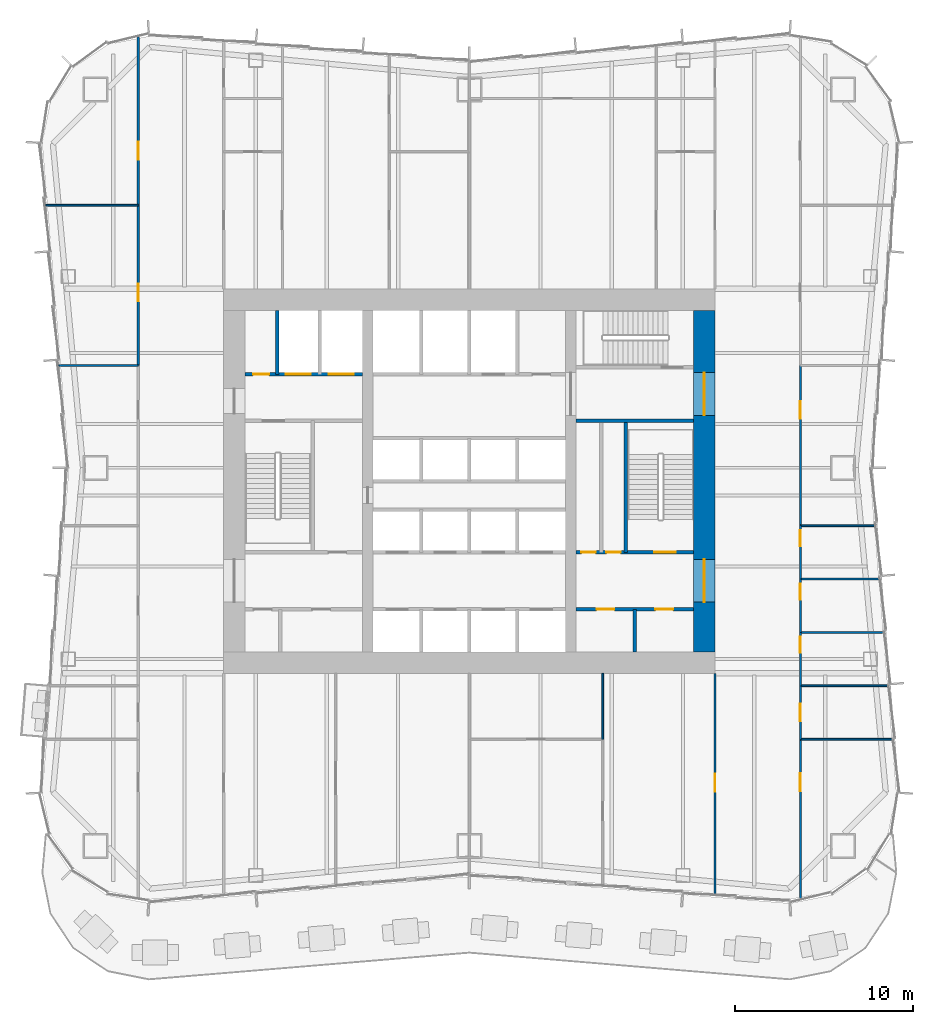
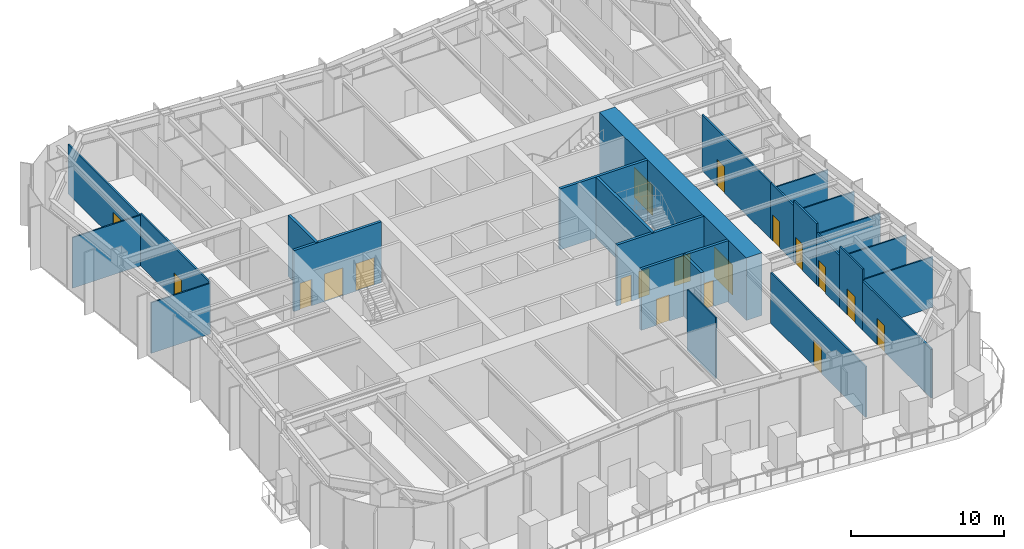
# One storey, part 10 of 15: 25 walls, 19 doors, 19 openings.
"""IFC4 building model written with IfcOpenShell, lengths in metres."""

import ifcopenshell
import ifcopenshell.guid

model = None  # the IFC model being written
_history = None  # IfcOwnerHistory: only IFC2X3 demands one
_inside = {}  # id of a spatial element -> (the spatial element, [elements in it])
_under = {}  # id of a project, library or spatial element -> (it, [spatial elements below it])
_declared = {}  # id of a project -> (the project, [libraries it declares])
_typed = {}  # id of a type object -> (the type object, [elements of that type])
_made_of = {}  # id of a material, layer set ... -> (it, [elements and type objects made of it])


def new_model(schema):
    """Start an empty IFC model of exactly this schema.

    Asked for "IFC4X3", IfcOpenShell would pick the latest addendum, in which some entities
    have other attributes; the version numbers below select the first issue.
    IFC2X3 requires an IfcOwnerHistory on every rooted entity: one is made here for all.
    """
    global model, _history
    if schema == "IFC4X3":
        model = ifcopenshell.file(schema_version=(4, 3, 0, 0))
    else:
        model = ifcopenshell.file(schema=schema)
    _inside.clear()
    _under.clear()
    _declared.clear()
    _typed.clear()
    _made_of.clear()
    _history = None
    if model.schema == "IFC2X3":
        org = make("IfcOrganization", Name="unknown")
        user = make(
            "IfcPersonAndOrganization",
            ThePerson=make("IfcPerson", FamilyName="unknown"),
            TheOrganization=org,
        )
        app = make(
            "IfcApplication",
            ApplicationDeveloper=org,
            Version="unknown",
            ApplicationFullName="unknown",
            ApplicationIdentifier="unknown",
        )
        _history = make(
            "IfcOwnerHistory",
            OwningUser=user,
            OwningApplication=app,
            ChangeAction="ADDED",
            CreationDate=0,
        )
    return model


def make(cls, **values):
    """One entity of the class cls with the attributes given. An attribute that is None is left unset."""
    return model.create_entity(
        cls, **{name: value for name, value in values.items() if value is not None}
    )


def rooted(cls, **values):
    """An entity with a GlobalId (a new one), such as an element, a storey or a relation."""
    return make(cls, GlobalId=ifcopenshell.guid.new(), OwnerHistory=_history, **values)


def si_unit(unit_type, name, prefix=None):
    """IfcSIUnit, for example si_unit("LENGTHUNIT", "METRE", prefix="MILLI")."""
    return make("IfcSIUnit", UnitType=unit_type, Prefix=prefix, Name=name)


def assignment(units):
    """IfcUnitAssignment: the units of a project."""
    return None if units is None else make("IfcUnitAssignment", Units=units)


def point(xyz):
    """IfcCartesianPoint."""
    return None if xyz is None else make("IfcCartesianPoint", Coordinates=xyz)


def direction(xyz):
    """IfcDirection."""
    return None if xyz is None else make("IfcDirection", DirectionRatios=xyz)


def frame(location, z_axis=None, x_axis=None):
    """IfcAxis2Placement3D, a coordinate frame: its origin and axes. An axis left out is left unset."""
    return make(
        "IfcAxis2Placement3D",
        Location=point(location),
        Axis=direction(z_axis),
        RefDirection=direction(x_axis),
    )


def frame_2d(location, x_axis=None):
    """IfcAxis2Placement2D, a coordinate frame in the plane: its origin and x axis."""
    return make(
        "IfcAxis2Placement2D", Location=point(location), RefDirection=direction(x_axis)
    )


def origin():
    """The frame at (0, 0, 0) with its axes left unset."""
    return frame((0.0, 0.0, 0.0))


def place(relative_to, where):
    """IfcLocalPlacement: puts the frame where relative to a parent placement (None: the world)."""
    return make(
        "IfcLocalPlacement", PlacementRelTo=relative_to, RelativePlacement=where
    )


def context(
    kind, dimensions, precision=None, world=None, true_north=None, identifier=None
):
    """IfcGeometricRepresentationContext, for example the 3D "Model" context."""
    return make(
        "IfcGeometricRepresentationContext",
        ContextIdentifier=identifier,
        ContextType=kind,
        CoordinateSpaceDimension=dimensions,
        Precision=precision,
        WorldCoordinateSystem=world,
        TrueNorth=true_north,
    )


def subcontext(parent, identifier, kind, view, scale=None):
    """IfcGeometricRepresentationSubContext, for example "Body" below "Model"."""
    return make(
        "IfcGeometricRepresentationSubContext",
        ContextIdentifier=identifier,
        ContextType=kind,
        ParentContext=parent,
        TargetScale=scale,
        TargetView=view,
    )


def project(units=None, contexts=None):
    """IfcProject with its units and contexts."""
    return rooted(
        "IfcProject",
        Name="project",
        RepresentationContexts=contexts,
        UnitsInContext=assignment(units),
    )


def spatial(cls, under=None, at=None, **own):
    """A site, building, storey or space (cls), placed at a placement, below another one or the project."""
    s = rooted(cls, ObjectPlacement=at, **own)
    if under is not None:
        _under.setdefault(under.id(), (under, []))[1].append(s)
    return s


def profile(cls, at=None, kind="AREA", **sizes):
    """A parametric profile (cls). Its sizes go by their IFC names, for example OverallWidth=200.0."""
    return make(cls, ProfileType=kind, Position=at, **sizes)


def rectangle(**sizes):
    """IfcRectangleProfileDef."""
    return profile("IfcRectangleProfileDef", **sizes)


def extrude(swept, where, along, depth):
    """IfcExtrudedAreaSolid: the profile swept, set in the frame where, extruded along a direction by depth."""
    return make(
        "IfcExtrudedAreaSolid",
        SweptArea=swept,
        Position=where,
        ExtrudedDirection=direction(along),
        Depth=depth,
    )


def shape(context_of_items, identifier, shape_type, items):
    """IfcShapeRepresentation: the items that make up one representation, for example the "Body"."""
    return make(
        "IfcShapeRepresentation",
        ContextOfItems=context_of_items,
        RepresentationIdentifier=identifier,
        RepresentationType=shape_type,
        Items=items,
    )


def material(Name=None, Category=None):
    """IfcMaterial."""
    return make("IfcMaterial", Name=Name, Category=Category)


def layer(
    of_material, thickness, ventilated=None, Name=None, Category=None, Priority=None
):
    """IfcMaterialLayer: one layer of a wall or slab, of a material (None: an air gap)."""
    return make(
        "IfcMaterialLayer",
        Material=of_material,
        LayerThickness=thickness,
        IsVentilated=ventilated,
        Name=Name,
        Category=Category,
        Priority=Priority,
    )


def layer_set(layers, Name=None):
    """IfcMaterialLayerSet."""
    return make("IfcMaterialLayerSet", MaterialLayers=layers, LayerSetName=Name)


def made_of(thing, what):
    """Note that an element or type object is made of a material, layer set ...; save() writes the relation."""
    if what is not None:
        _made_of.setdefault(what.id(), (what, []))[1].append(thing)
    return thing


def type_object(cls, material=None, **own):
    """A type object (cls), such as IfcWallType, which elements share."""
    return made_of(rooted(cls, **own), material)


def element(
    cls,
    number,
    at=None,
    inside=None,
    cuts=None,
    type_object=None,
    material=None,
    context=None,
    identifier="Body",
    shape_type=None,
    held_by="IfcProductDefinitionShape",
    body=None,
    shapes=None,
    **own,
):
    """One element of the class cls, such as IfcWall. Its Tag is "e" and its number.

    at: its placement. inside: the storey or other place that contains it. cuts: it is an
    opening in that element (IfcRelVoidsElement). A single representation is given by context,
    identifier, shape_type and body (its items); several are given by shapes. held_by: the class
    of the entity that holds the representations. save() writes the other relations.
    """
    e = rooted(cls, Tag="e%d" % number, ObjectPlacement=at, **own)
    if body is not None:
        shapes = [shape(context, identifier, shape_type, body)]
    if shapes is not None:
        e.Representation = make(held_by, Representations=shapes)
    if inside is not None:
        _inside.setdefault(inside.id(), (inside, []))[1].append(e)
    if cuts is not None:
        rooted(
            "IfcRelVoidsElement", RelatingBuildingElement=cuts, RelatedOpeningElement=e
        )
    if type_object is not None:
        _typed.setdefault(type_object.id(), (type_object, []))[1].append(e)
    return made_of(e, material)


def fill(opening, filler):
    """IfcRelFillsElement: the door or window that sits in an opening."""
    return rooted(
        "IfcRelFillsElement",
        RelatingOpeningElement=opening,
        RelatedBuildingElement=filler,
    )


def aggregate(whole, parts):
    """IfcRelAggregates: a whole, such as a stair, and the parts it consists of."""
    return rooted("IfcRelAggregates", RelatingObject=whole, RelatedObjects=parts)


def save(model, path):
    """Write the relations noted so far, then the file.

    IfcRelAggregates (storeys below a building ...), IfcRelContainedInSpatialStructure (elements
    in a storey), IfcRelDefinesByType, IfcRelAssociatesMaterial and IfcRelDeclares: one each for
    every whole, place, type object, material and project.
    """
    for whole, parts in _under.values():
        aggregate(whole, parts)
    for where, things in _inside.values():
        rooted(
            "IfcRelContainedInSpatialStructure",
            RelatedElements=things,
            RelatingStructure=where,
        )
    for kind, things in _typed.values():
        rooted("IfcRelDefinesByType", RelatedObjects=things, RelatingType=kind)
    for what, things in _made_of.values():
        rooted("IfcRelAssociatesMaterial", RelatedObjects=things, RelatingMaterial=what)
    for by, libraries in _declared.values():
        rooted("IfcRelDeclares", RelatingContext=by, RelatedDefinitions=libraries)
    model.write(path)


model = new_model("IFC4")

# Units and contexts
model_context = context("Model", 3, precision=1e-05, world=origin(), true_north=direction((0.0, 1.0)))
body_context = subcontext(model_context, "Body", "Model", "MODEL_VIEW")
ifc_project = project(units=[si_unit("LENGTHUNIT", "METRE"), si_unit("AREAUNIT", "SQUARE_METRE"), si_unit("VOLUMEUNIT", "CUBIC_METRE"), si_unit("PLANEANGLEUNIT", "RADIAN"), si_unit("MASSUNIT", "GRAM", prefix="KILO")], contexts=[model_context])

# Site, building, storey
site_placement = place(None, origin())
site = spatial("IfcSite", under=ifc_project, at=site_placement, CompositionType="ELEMENT")
building_placement = place(site_placement, origin())
building = spatial("IfcBuilding", under=site, at=building_placement, Name="Verdant Reach Tower", CompositionType="ELEMENT")
storey_placement = place(building_placement, frame((0.0, 0.0, 65.0)))
storey = spatial("IfcBuildingStorey", under=building, at=storey_placement, Name="L14", CompositionType="ELEMENT", Elevation=65.0)

# Wall, openings, doors
ifc_material_1 = material(Name="Gypsum board on steel studs", Category="steel")
ifc_layer_1 = layer(ifc_material_1, 0.199951171875)
ifc_layer_set_1 = layer_set([ifc_layer_1], Name="CO-WALL-ROOM")
wall_type_1 = type_object("IfcWallType", Name="CO-WALL-ROOM", PredefinedType="PARTITIONING", material=ifc_layer_set_1)
wall_1_placement = place(storey_placement, frame((6.0, 20.800048828125, 0.0), z_axis=(0.0, 0.0, 1.0), x_axis=(1.0, 0.0, 0.0)))
wall_1 = element("IfcWall", 1, at=wall_1_placement, inside=storey, type_object=wall_type_1, Name="Core partition, L14", PredefinedType="PARTITIONING", context=body_context, shape_type="SweptSolid", body=[
    extrude(rectangle(XDim=6.60009765625, YDim=0.199951171875, at=frame_2d((3.300048828125, 0.0))), origin(), (0.0, 0.0, 1.0), 4.8701171875),
])
opening_1_placement = place(wall_1_placement, frame((1.14990234375, 0.0, 0.0)))
opening_1 = element("IfcOpeningElement", 2, at=opening_1_placement, cuts=wall_1, Name="Opening CD", PredefinedType="OPENING", context=body_context, shape_type="SweptSolid", body=[
    extrude(rectangle(XDim=1.0, YDim=2.10009765625, at=frame_2d((0.5, 1.050048828125))), frame((0.0, 0.10986328125, 0.0), z_axis=(0.0, -1.0, 0.0), x_axis=(1.0, 0.0, 0.0)), (0.0, 0.0, 1.0), 0.219970703125),
])
opening_2_placement = place(wall_1_placement, frame((4.449951171875, 0.0, 0.0)))
opening_2 = element("IfcOpeningElement", 3, at=opening_2_placement, cuts=wall_1, Name="Opening CD", PredefinedType="OPENING", context=body_context, shape_type="SweptSolid", body=[
    extrude(rectangle(XDim=1.0, YDim=2.10009765625, at=frame_2d((0.5, 1.050048828125))), frame((0.0, 0.10986328125, 0.0), z_axis=(0.0, -1.0, 0.0), x_axis=(1.0, 0.0, 0.0)), (0.0, 0.0, 1.0), 0.219970703125),
])
ifc_material_2 = material(Name="Timber", Category="wood")
door_type_1 = type_object("IfcDoorType", Name="CO-DOOR-ROOM", OperationType="NOTDEFINED", PredefinedType="DOOR", material=ifc_material_2)
door_1_placement = place(opening_1_placement, origin())
door_1 = element("IfcDoor", 4, at=door_1_placement, inside=storey, type_object=door_type_1, Name="Core room door, L14", OperationType="SINGLE_SWING_LEFT", OverallHeight=2.10009765625, OverallWidth=1.0, PredefinedType="DOOR", context=body_context, shape_type="SweptSolid", body=[
    extrude(rectangle(XDim=1.0, YDim=2.10009765625, at=frame_2d((0.5, 1.050048828125))), frame((0.0, 0.02490234375, 0.0), z_axis=(0.0, -1.0, 0.0), x_axis=(1.0, 0.0, 0.0)), (0.0, 0.0, 1.0), 0.050048828125),
])
fill(opening_1, door_1)
door_2_placement = place(opening_2_placement, origin())
door_2 = element("IfcDoor", 5, at=door_2_placement, inside=storey, type_object=door_type_1, Name="Core room door, L14", OperationType="SINGLE_SWING_LEFT", OverallHeight=2.10009765625, OverallWidth=1.0, PredefinedType="DOOR", context=body_context, shape_type="SweptSolid", body=[
    extrude(rectangle(XDim=1.0, YDim=2.10009765625, at=frame_2d((0.5, 1.050048828125))), frame((0.0, 0.02490234375, 0.0), z_axis=(0.0, -1.0, 0.0), x_axis=(1.0, 0.0, 0.0)), (0.0, 0.0, 1.0), 0.050048828125),
])
fill(opening_2, door_2)

# Wall
wall_2_placement = place(storey_placement, frame((9.300048828125, 18.39990234375, 0.0), z_axis=(0.0, 0.0, 1.0), x_axis=(0.0, 1.0, 0.0)))
element("IfcWall", 6, at=wall_2_placement, inside=storey, type_object=wall_type_1, Name="Core partition, L14", PredefinedType="PARTITIONING", context=body_context, shape_type="SweptSolid", body=[
    extrude(rectangle(XDim=2.400146484375, YDim=0.199951171875, at=frame_2d((1.2001953125, 0.0))), origin(), (0.0, 0.0, 1.0), 4.8701171875),
])

# Wall, openings, doors
ifc_material_3 = material(Name="Concrete C40/50", Category="concrete")
ifc_layer_2 = layer(ifc_material_3, 0.199951171875)
ifc_layer_set_2 = layer_set([ifc_layer_2], Name="CO-WALL-SHAFT")
wall_type_2 = type_object("IfcWallType", Name="CO-WALL-SHAFT", PredefinedType="PARTITIONING", material=ifc_layer_set_2)
wall_3_placement = place(storey_placement, frame((-12.60009765625, 34.0, 0.0), z_axis=(0.0, 0.0, 1.0), x_axis=(1.0, 0.0, 0.0)))
wall_3 = element("IfcWall", 7, at=wall_3_placement, inside=storey, type_object=wall_type_2, Name="Lift shaft wall, L14", PredefinedType="PARTITIONING", context=body_context, shape_type="SweptSolid", body=[
    extrude(rectangle(XDim=6.60009765625, YDim=0.199951171875, at=frame_2d((3.300048828125, 0.0))), origin(), (0.0, 0.0, 1.0), 4.8701171875),
])
opening_3_placement = place(wall_3_placement, frame((4.699951171875, 0.0, 0.0)))
opening_3 = element("IfcOpeningElement", 8, at=opening_3_placement, cuts=wall_3, Name="Opening LD-F1", PredefinedType="OPENING", context=body_context, shape_type="SweptSolid", body=[
    extrude(rectangle(XDim=1.39990234375, YDim=2.199951171875, at=frame_2d((0.699951171875, 1.10009765625))), frame((0.0, 0.10986328125, 0.0), z_axis=(0.0, -1.0, 0.0), x_axis=(1.0, 0.0, 0.0)), (0.0, 0.0, 1.0), 0.219970703125),
])
opening_4_placement = place(wall_3_placement, frame((2.300048828125, 0.0, 0.0)))
opening_4 = element("IfcOpeningElement", 9, at=opening_4_placement, cuts=wall_3, Name="Opening LD-F2", PredefinedType="OPENING", context=body_context, shape_type="SweptSolid", body=[
    extrude(rectangle(XDim=1.39990234375, YDim=2.199951171875, at=frame_2d((0.699951171875, 1.10009765625))), frame((0.0, 0.10986328125, 0.0), z_axis=(0.0, -1.0, 0.0), x_axis=(1.0, 0.0, 0.0)), (0.0, 0.0, 1.0), 0.219970703125),
])
opening_5_placement = place(wall_3_placement, frame((0.449951171875, 0.0, 0.0)))
opening_5 = element("IfcOpeningElement", 10, at=opening_5_placement, cuts=wall_3, Name="Opening RD", PredefinedType="OPENING", context=body_context, shape_type="SweptSolid", body=[
    extrude(rectangle(XDim=0.89990234375, YDim=2.10009765625, at=frame_2d((0.449951171875, 1.050048828125))), frame((0.0, 0.10986328125, 0.0), z_axis=(0.0, -1.0, 0.0), x_axis=(1.0, 0.0, 0.0)), (0.0, 0.0, 1.0), 0.219970703125),
])
ifc_material_4 = material(Name="Stainless steel", Category="steel")
door_type_2 = type_object("IfcDoorType", Name="CO-DOOR-LANDING-FF", OperationType="SLIDING_TO_LEFT", PredefinedType="DOOR", material=ifc_material_4)
door_3_placement = place(opening_3_placement, origin())
door_3 = element("IfcDoor", 11, at=door_3_placement, inside=storey, type_object=door_type_2, Name="Landing door F1, L14", OperationType="SLIDING_TO_LEFT", OverallHeight=2.199951171875, OverallWidth=1.39990234375, PredefinedType="DOOR", context=body_context, shape_type="SweptSolid", body=[
    extrude(rectangle(XDim=1.39990234375, YDim=2.199951171875, at=frame_2d((0.699951171875, 1.10009765625))), frame((0.0, 0.02490234375, 0.0), z_axis=(0.0, -1.0, 0.0), x_axis=(1.0, 0.0, 0.0)), (0.0, 0.0, 1.0), 0.050048828125),
])
fill(opening_3, door_3)
door_4_placement = place(opening_4_placement, origin())
door_4 = element("IfcDoor", 12, at=door_4_placement, inside=storey, type_object=door_type_2, Name="Landing door F2, L14", OperationType="SLIDING_TO_LEFT", OverallHeight=2.199951171875, OverallWidth=1.39990234375, PredefinedType="DOOR", context=body_context, shape_type="SweptSolid", body=[
    extrude(rectangle(XDim=1.39990234375, YDim=2.199951171875, at=frame_2d((0.699951171875, 1.10009765625))), frame((0.0, 0.02490234375, 0.0), z_axis=(0.0, -1.0, 0.0), x_axis=(1.0, 0.0, 0.0)), (0.0, 0.0, 1.0), 0.050048828125),
])
fill(opening_4, door_4)
ifc_material_5 = material(Name="Steel", Category="steel")
door_type_3 = type_object("IfcDoorType", Name="CO-DOOR-RISER", OperationType="NOTDEFINED", PredefinedType="DOOR", material=ifc_material_5)
door_5_placement = place(opening_5_placement, origin())
door_5 = element("IfcDoor", 13, at=door_5_placement, inside=storey, type_object=door_type_3, Name="Core room door, L14", OperationType="SINGLE_SWING_RIGHT", OverallHeight=2.10009765625, OverallWidth=0.89990234375, PredefinedType="DOOR", context=body_context, shape_type="SweptSolid", body=[
    extrude(rectangle(XDim=0.89990234375, YDim=2.10009765625, at=frame_2d((0.449951171875, 1.050048828125))), frame((0.0, 0.02490234375, 0.0), z_axis=(0.0, -1.0, 0.0), x_axis=(1.0, 0.0, 0.0)), (0.0, 0.0, 1.0), 0.050048828125),
])
fill(opening_5, door_5)

# Wall
wall_4_placement = place(storey_placement, frame((-10.800048828125, 34.0, 0.0), z_axis=(0.0, 0.0, 1.0), x_axis=(0.0, 1.0, 0.0)))
element("IfcWall", 14, at=wall_4_placement, inside=storey, type_object=wall_type_2, Name="Lift shaft wall, L14", PredefinedType="PARTITIONING", context=body_context, shape_type="SweptSolid", body=[
    extrude(rectangle(XDim=3.60009765625, YDim=0.199951171875, at=frame_2d((1.800048828125, 0.0))), origin(), (0.0, 0.0, 1.0), 4.8701171875),
])

# Wall, openings, doors
ifc_layer_3 = layer(ifc_material_3, 0.199951171875)
ifc_layer_set_3 = layer_set([ifc_layer_3], Name="CO-WALL-STAIR")
wall_type_3 = type_object("IfcWallType", Name="CO-WALL-STAIR", PredefinedType="PARTITIONING", material=ifc_layer_set_3)
wall_5_placement = place(storey_placement, frame((6.0, 24.0, 0.0), z_axis=(0.0, 0.0, 1.0), x_axis=(1.0, 0.0, 0.0)))
wall_5 = element("IfcWall", 15, at=wall_5_placement, inside=storey, type_object=wall_type_3, Name="Stair enclosure wall, L14", PredefinedType="PARTITIONING", context=body_context, shape_type="SweptSolid", body=[
    extrude(rectangle(XDim=6.60009765625, YDim=0.199951171875, at=frame_2d((3.300048828125, 0.0))), origin(), (0.0, 0.0, 1.0), 4.8701171875),
])
opening_6_placement = place(wall_5_placement, frame((0.300048828125, 0.0, 0.0)))
opening_6 = element("IfcOpeningElement", 16, at=opening_6_placement, cuts=wall_5, Name="Opening CDN", PredefinedType="OPENING", context=body_context, shape_type="SweptSolid", body=[
    extrude(rectangle(XDim=0.800048828125, YDim=2.10009765625, at=frame_2d((0.39990234375, 1.050048828125))), frame((0.0, 0.10986328125, 0.0), z_axis=(0.0, -1.0, 0.0), x_axis=(1.0, 0.0, 0.0)), (0.0, 0.0, 1.0), 0.219970703125),
])
opening_7_placement = place(wall_5_placement, frame((1.699951171875, 0.0, 0.0)))
opening_7 = element("IfcOpeningElement", 17, at=opening_7_placement, cuts=wall_5, Name="Opening CDN", PredefinedType="OPENING", context=body_context, shape_type="SweptSolid", body=[
    extrude(rectangle(XDim=0.800048828125, YDim=2.10009765625, at=frame_2d((0.39990234375, 1.050048828125))), frame((0.0, 0.10986328125, 0.0), z_axis=(0.0, -1.0, 0.0), x_axis=(1.0, 0.0, 0.0)), (0.0, 0.0, 1.0), 0.219970703125),
])
opening_8_placement = place(wall_5_placement, frame((4.39990234375, 0.0, 0.0)))
opening_8 = element("IfcOpeningElement", 18, at=opening_8_placement, cuts=wall_5, Name="Opening SD", PredefinedType="OPENING", context=body_context, shape_type="SweptSolid", body=[
    extrude(rectangle(XDim=1.199951171875, YDim=2.199951171875, at=frame_2d((0.60009765625, 1.10009765625))), frame((0.0, 0.10986328125, 0.0), z_axis=(0.0, -1.0, 0.0), x_axis=(1.0, 0.0, 0.0)), (0.0, 0.0, 1.0), 0.219970703125),
])
door_type_4 = type_object("IfcDoorType", Name="CO-DOOR-ROOM-NARROW", OperationType="NOTDEFINED", PredefinedType="DOOR", material=ifc_material_2)
door_6_placement = place(opening_6_placement, origin())
door_6 = element("IfcDoor", 19, at=door_6_placement, inside=storey, type_object=door_type_4, Name="Core room door, L14", OperationType="SINGLE_SWING_RIGHT", OverallHeight=2.10009765625, OverallWidth=0.800048828125, PredefinedType="DOOR", context=body_context, shape_type="SweptSolid", body=[
    extrude(rectangle(XDim=0.800048828125, YDim=2.10009765625, at=frame_2d((0.39990234375, 1.050048828125))), frame((0.0, 0.02490234375, 0.0), z_axis=(0.0, -1.0, 0.0), x_axis=(1.0, 0.0, 0.0)), (0.0, 0.0, 1.0), 0.050048828125),
])
fill(opening_6, door_6)
door_7_placement = place(opening_7_placement, origin())
door_7 = element("IfcDoor", 20, at=door_7_placement, inside=storey, type_object=door_type_4, Name="Core room door, L14", OperationType="SINGLE_SWING_LEFT", OverallHeight=2.10009765625, OverallWidth=0.800048828125, PredefinedType="DOOR", context=body_context, shape_type="SweptSolid", body=[
    extrude(rectangle(XDim=0.800048828125, YDim=2.10009765625, at=frame_2d((0.39990234375, 1.050048828125))), frame((0.0, 0.02490234375, 0.0), z_axis=(0.0, -1.0, 0.0), x_axis=(1.0, 0.0, 0.0)), (0.0, 0.0, 1.0), 0.050048828125),
])
fill(opening_7, door_7)
door_type_5 = type_object("IfcDoorType", Name="CO-DOOR-STAIR", OperationType="NOTDEFINED", PredefinedType="DOOR", material=ifc_material_5)
door_8_placement = place(opening_8_placement, origin())
door_8 = element("IfcDoor", 21, at=door_8_placement, inside=storey, type_object=door_type_5, Name="Stair door, L14", OperationType="SINGLE_SWING_RIGHT", OverallHeight=2.199951171875, OverallWidth=1.199951171875, PredefinedType="DOOR", context=body_context, shape_type="SweptSolid", body=[
    extrude(rectangle(XDim=1.199951171875, YDim=2.199951171875, at=frame_2d((0.60009765625, 1.10009765625))), frame((0.0, 0.02490234375, 0.0), z_axis=(0.0, -1.0, 0.0), x_axis=(1.0, 0.0, 0.0)), (0.0, 0.0, 1.0), 0.050048828125),
])
fill(opening_8, door_8)

# Walls
wall_6_placement = place(storey_placement, frame((6.0, 31.39990234375, 0.0), z_axis=(0.0, 0.0, 1.0), x_axis=(1.0, 0.0, 0.0)))
element("IfcWall", 22, at=wall_6_placement, inside=storey, type_object=wall_type_3, Name="Stair enclosure wall, L14", PredefinedType="PARTITIONING", context=body_context, shape_type="SweptSolid", body=[
    extrude(rectangle(XDim=6.60009765625, YDim=0.199951171875, at=frame_2d((3.300048828125, 0.0))), origin(), (0.0, 0.0, 1.0), 4.8701171875),
])
wall_7_placement = place(storey_placement, frame((8.800048828125, 24.0, 0.0), z_axis=(0.0, 0.0, 1.0), x_axis=(0.0, 1.0, 0.0)))
element("IfcWall", 23, at=wall_7_placement, inside=storey, type_object=wall_type_3, Name="Stair enclosure wall, L14", PredefinedType="PARTITIONING", context=body_context, shape_type="SweptSolid", body=[
    extrude(rectangle(XDim=7.39990234375, YDim=0.199951171875, at=frame_2d((3.699951171875, 0.0))), origin(), (0.0, 0.0, 1.0), 4.8701171875),
])
ifc_layer_4 = layer(ifc_material_1, 0.10009765625)
ifc_layer_set_4 = layer_set([ifc_layer_4], Name="FL-W1 Partition 100")
wall_type_4 = type_object("IfcWallType", Name="FL-W1 Partition 100", PredefinedType="PARTITIONING", material=ifc_layer_set_4)
wall_8_placement = place(storey_placement, frame((-18.60009765625, 34.5, 0.0), z_axis=(0.0, 0.0, 1.0), x_axis=(-1.0, 0.0, 0.0)))
element("IfcWall", 24, at=wall_8_placement, inside=storey, type_object=wall_type_4, Name="Partition 14.26", PredefinedType="PARTITIONING", context=body_context, shape_type="SweptSolid", body=[
    extrude(rectangle(XDim=4.452392578125, YDim=0.10009765625, at=frame_2d((2.22607421875, 0.0))), origin(), (0.0, 0.0, 1.0), 4.0400390625),
])
wall_9_placement = place(storey_placement, frame((-18.60009765625, 43.5, 0.0), z_axis=(0.0, 0.0, 1.0), x_axis=(-1.0, 0.0, 0.0)))
element("IfcWall", 25, at=wall_9_placement, inside=storey, type_object=wall_type_4, Name="Partition 14.27", PredefinedType="PARTITIONING", context=body_context, shape_type="SweptSolid", body=[
    extrude(rectangle(XDim=5.192138671875, YDim=0.10009765625, at=frame_2d((2.59619140625, 0.0))), origin(), (0.0, 0.0, 1.0), 4.0400390625),
])
wall_10_placement = place(storey_placement, frame((23.83349609375, 13.5, 0.0), z_axis=(0.0, 0.0, 1.0), x_axis=(-1.0, 0.0, 0.0)))
element("IfcWall", 26, at=wall_10_placement, inside=storey, type_object=wall_type_4, Name="Partition 14.28", PredefinedType="PARTITIONING", context=body_context, shape_type="SweptSolid", body=[
    extrude(rectangle(XDim=5.2333984375, YDim=0.10009765625, at=frame_2d((2.61669921875, 0.0))), origin(), (0.0, 0.0, 1.0), 4.0400390625),
])
wall_11_placement = place(storey_placement, frame((23.5869140625, 16.5, 0.0), z_axis=(0.0, 0.0, 1.0), x_axis=(-1.0, 0.0, 0.0)))
element("IfcWall", 27, at=wall_11_placement, inside=storey, type_object=wall_type_4, Name="Partition 14.29", PredefinedType="PARTITIONING", context=body_context, shape_type="SweptSolid", body=[
    extrude(rectangle(XDim=4.98681640625, YDim=0.10009765625, at=frame_2d((2.493408203125, 0.0))), origin(), (0.0, 0.0, 1.0), 4.0400390625),
])
wall_12_placement = place(storey_placement, frame((23.34033203125, 19.5, 0.0), z_axis=(0.0, 0.0, 1.0), x_axis=(-1.0, 0.0, 0.0)))
element("IfcWall", 28, at=wall_12_placement, inside=storey, type_object=wall_type_4, Name="Partition 14.30", PredefinedType="PARTITIONING", context=body_context, shape_type="SweptSolid", body=[
    extrude(rectangle(XDim=4.740234375, YDim=0.10009765625, at=frame_2d((2.3701171875, 0.0))), origin(), (0.0, 0.0, 1.0), 4.0400390625),
])
wall_13_placement = place(storey_placement, frame((23.09375, 22.5, 0.0), z_axis=(0.0, 0.0, 1.0), x_axis=(-1.0, 0.0, 0.0)))
element("IfcWall", 29, at=wall_13_placement, inside=storey, type_object=wall_type_4, Name="Partition 14.31", PredefinedType="PARTITIONING", context=body_context, shape_type="SweptSolid", body=[
    extrude(rectangle(XDim=4.49365234375, YDim=0.10009765625, at=frame_2d((2.246826171875, 0.0))), origin(), (0.0, 0.0, 1.0), 4.0400390625),
])
wall_14_placement = place(storey_placement, frame((22.84716796875, 25.5, 0.0), z_axis=(0.0, 0.0, 1.0), x_axis=(-1.0, 0.0, 0.0)))
element("IfcWall", 30, at=wall_14_placement, inside=storey, type_object=wall_type_4, Name="Partition 14.32", PredefinedType="PARTITIONING", context=body_context, shape_type="SweptSolid", body=[
    extrude(rectangle(XDim=4.2470703125, YDim=0.10009765625, at=frame_2d((2.12353515625, 0.0))), origin(), (0.0, 0.0, 1.0), 4.0400390625),
])
wall_15_placement = place(storey_placement, frame((7.5, 17.199951171875, 0.0), z_axis=(0.0, 0.0, 1.0), x_axis=(0.0, -1.0, 0.0)))
element("IfcWall", 31, at=wall_15_placement, inside=storey, type_object=wall_type_4, Name="Partition 14.39", PredefinedType="PARTITIONING", context=body_context, shape_type="SweptSolid", body=[
    extrude(rectangle(XDim=3.699951171875, YDim=0.10009765625, at=frame_2d((1.85009765625, 0.0))), origin(), (0.0, 0.0, 1.0), 4.8701171875),
])

# Wall, opening, door
ifc_material_6 = material(Name="Gypsum board on steel studs, fire rated", Category="steel")
ifc_layer_5 = layer(ifc_material_6, 0.125)
ifc_layer_set_5 = layer_set([ifc_layer_5], Name="FL-W2 Corridor wall 125")
wall_type_5 = type_object("IfcWallType", Name="FL-W2 Corridor wall 125", PredefinedType="PARTITIONING", material=ifc_layer_set_5)
wall_16_placement = place(storey_placement, frame((-18.60009765625, 34.5, 0.0), z_axis=(0.0, 0.0, 1.0), x_axis=(0.0, 1.0, 0.0)))
wall_16 = element("IfcWall", 32, at=wall_16_placement, inside=storey, type_object=wall_type_5, Name="Partition 14.05", PredefinedType="PARTITIONING", context=body_context, shape_type="SweptSolid", body=[
    extrude(rectangle(XDim=9.0, YDim=0.125, at=frame_2d((4.5, 0.0))), origin(), (0.0, 0.0, 1.0), 4.139892578125),
])
opening_9_placement = place(wall_16_placement, frame((3.60009765625, 0.0, 0.0)))
opening_9 = element("IfcOpeningElement", 33, at=opening_9_placement, cuts=wall_16, Name="Opening D2", PredefinedType="OPENING", context=body_context, shape_type="SweptSolid", body=[
    extrude(rectangle(XDim=1.0, YDim=2.10009765625, at=frame_2d((0.5, 1.050048828125))), frame((0.0, 0.072509765625, 0.0), z_axis=(0.0, -1.0, 0.0), x_axis=(1.0, 0.0, 0.0)), (0.0, 0.0, 1.0), 0.14501953125),
])
ifc_material_7 = material(Name="Timber door leaf, fire rated", Category="wood")
door_type_6 = type_object("IfcDoorType", Name="FL-D2 Entrance door 1000x2100 FD30", OperationType="NOTDEFINED", PredefinedType="DOOR", material=ifc_material_7)
door_9_placement = place(opening_9_placement, origin())
door_9 = element("IfcDoor", 34, at=door_9_placement, inside=storey, type_object=door_type_6, Name="Door 14-005", OperationType="SINGLE_SWING_LEFT", OverallHeight=2.10009765625, OverallWidth=1.0, PredefinedType="DOOR", context=body_context, shape_type="SweptSolid", body=[
    extrude(rectangle(XDim=1.0, YDim=2.10009765625, at=frame_2d((0.5, 1.050048828125))), frame((0.0, 0.02490234375, 0.0), z_axis=(0.0, -1.0, 0.0), x_axis=(1.0, 0.0, 0.0)), (0.0, 0.0, 1.0), 0.050048828125),
])
fill(opening_9, door_9)

wall_17_placement = place(storey_placement, frame((-18.60009765625, 43.5, 0.0), z_axis=(0.0, 0.0, 1.0), x_axis=(0.0, 1.0, 0.0)))
wall_17 = element("IfcWall", 35, at=wall_17_placement, inside=storey, type_object=wall_type_5, Name="Partition 14.06", PredefinedType="PARTITIONING", context=body_context, shape_type="SweptSolid", body=[
    extrude(rectangle(XDim=9.460693359375, YDim=0.125, at=frame_2d((4.73046875, 0.0))), origin(), (0.0, 0.0, 1.0), 3.929931640625),
])
opening_10_placement = place(wall_17_placement, frame((2.564697265625, 0.0, 0.0)))
opening_10 = element("IfcOpeningElement", 36, at=opening_10_placement, cuts=wall_17, Name="Opening D2", PredefinedType="OPENING", context=body_context, shape_type="SweptSolid", body=[
    extrude(rectangle(XDim=1.0, YDim=2.10009765625, at=frame_2d((0.5, 1.050048828125))), frame((0.0, 0.072509765625, 0.0), z_axis=(0.0, -1.0, 0.0), x_axis=(1.0, 0.0, 0.0)), (0.0, 0.0, 1.0), 0.14501953125),
])
door_10_placement = place(opening_10_placement, origin())
door_10 = element("IfcDoor", 37, at=door_10_placement, inside=storey, type_object=door_type_6, Name="Door 14-006", OperationType="SINGLE_SWING_LEFT", OverallHeight=2.10009765625, OverallWidth=1.0, PredefinedType="DOOR", context=body_context, shape_type="SweptSolid", body=[
    extrude(rectangle(XDim=1.0, YDim=2.10009765625, at=frame_2d((0.5, 1.050048828125))), frame((0.0, 0.02490234375, 0.0), z_axis=(0.0, -1.0, 0.0), x_axis=(1.0, 0.0, 0.0)), (0.0, 0.0, 1.0), 0.050048828125),
])
fill(opening_10, door_10)

wall_18_placement = place(storey_placement, frame((18.60009765625, 13.5, 0.0), z_axis=(0.0, 0.0, 1.0), x_axis=(0.0, -1.0, 0.0)))
wall_18 = element("IfcWall", 38, at=wall_18_placement, inside=storey, type_object=wall_type_5, Name="Partition 14.11", PredefinedType="PARTITIONING", context=body_context, shape_type="SweptSolid", body=[
    extrude(rectangle(XDim=8.960693359375, YDim=0.125, at=frame_2d((4.48046875, 0.0))), origin(), (0.0, 0.0, 1.0), 3.929931640625),
])
opening_11_placement = place(wall_18_placement, frame((1.914794921875, 0.0, 0.0)))
opening_11 = element("IfcOpeningElement", 39, at=opening_11_placement, cuts=wall_18, Name="Opening D2", PredefinedType="OPENING", context=body_context, shape_type="SweptSolid", body=[
    extrude(rectangle(XDim=1.0, YDim=2.10009765625, at=frame_2d((0.5, 1.050048828125))), frame((0.0, 0.072509765625, 0.0), z_axis=(0.0, -1.0, 0.0), x_axis=(1.0, 0.0, 0.0)), (0.0, 0.0, 1.0), 0.14501953125),
])
door_11_placement = place(opening_11_placement, origin())
door_11 = element("IfcDoor", 40, at=door_11_placement, inside=storey, type_object=door_type_6, Name="Door 14-010", OperationType="SINGLE_SWING_LEFT", OverallHeight=2.10009765625, OverallWidth=1.0, PredefinedType="DOOR", context=body_context, shape_type="SweptSolid", body=[
    extrude(rectangle(XDim=1.0, YDim=2.10009765625, at=frame_2d((0.5, 1.050048828125))), frame((0.0, 0.02490234375, 0.0), z_axis=(0.0, -1.0, 0.0), x_axis=(1.0, 0.0, 0.0)), (0.0, 0.0, 1.0), 0.050048828125),
])
fill(opening_11, door_11)

wall_19_placement = place(storey_placement, frame((18.60009765625, 16.5, 0.0), z_axis=(0.0, 0.0, 1.0), x_axis=(0.0, -1.0, 0.0)))
wall_19 = element("IfcWall", 41, at=wall_19_placement, inside=storey, type_object=wall_type_5, Name="Partition 14.12", PredefinedType="PARTITIONING", context=body_context, shape_type="SweptSolid", body=[
    extrude(rectangle(XDim=3.0, YDim=0.125, at=frame_2d((1.5, 0.0))), origin(), (0.0, 0.0, 1.0), 4.8701171875),
])
opening_12_placement = place(wall_19_placement, frame((1.0, 0.0, 0.0)))
opening_12 = element("IfcOpeningElement", 42, at=opening_12_placement, cuts=wall_19, Name="Opening D2", PredefinedType="OPENING", context=body_context, shape_type="SweptSolid", body=[
    extrude(rectangle(XDim=1.0, YDim=2.10009765625, at=frame_2d((0.5, 1.050048828125))), frame((0.0, 0.072509765625, 0.0), z_axis=(0.0, -1.0, 0.0), x_axis=(1.0, 0.0, 0.0)), (0.0, 0.0, 1.0), 0.14501953125),
])
door_12_placement = place(opening_12_placement, origin())
door_12 = element("IfcDoor", 43, at=door_12_placement, inside=storey, type_object=door_type_6, Name="Door 14-011", OperationType="SINGLE_SWING_LEFT", OverallHeight=2.10009765625, OverallWidth=1.0, PredefinedType="DOOR", context=body_context, shape_type="SweptSolid", body=[
    extrude(rectangle(XDim=1.0, YDim=2.10009765625, at=frame_2d((0.5, 1.050048828125))), frame((0.0, 0.02490234375, 0.0), z_axis=(0.0, -1.0, 0.0), x_axis=(1.0, 0.0, 0.0)), (0.0, 0.0, 1.0), 0.050048828125),
])
fill(opening_12, door_12)

wall_20_placement = place(storey_placement, frame((18.60009765625, 19.5, 0.0), z_axis=(0.0, 0.0, 1.0), x_axis=(0.0, -1.0, 0.0)))
wall_20 = element("IfcWall", 44, at=wall_20_placement, inside=storey, type_object=wall_type_5, Name="Partition 14.13", PredefinedType="PARTITIONING", context=body_context, shape_type="SweptSolid", body=[
    extrude(rectangle(XDim=3.0, YDim=0.125, at=frame_2d((1.5, 0.0))), origin(), (0.0, 0.0, 1.0), 4.139892578125),
])
opening_13_placement = place(wall_20_placement, frame((0.25, 0.0, 0.0)))
opening_13 = element("IfcOpeningElement", 45, at=opening_13_placement, cuts=wall_20, Name="Opening D1", PredefinedType="OPENING", context=body_context, shape_type="SweptSolid", body=[
    extrude(rectangle(XDim=0.89990234375, YDim=2.10009765625, at=frame_2d((0.449951171875, 1.050048828125))), frame((0.0, 0.072509765625, 0.0), z_axis=(0.0, -1.0, 0.0), x_axis=(1.0, 0.0, 0.0)), (0.0, 0.0, 1.0), 0.14501953125),
])
ifc_material_8 = material(Name="Painted timber door leaf", Category="wood")
door_type_7 = type_object("IfcDoorType", Name="FL-D1 Door 900x2100", OperationType="NOTDEFINED", PredefinedType="DOOR", material=ifc_material_8)
door_13_placement = place(opening_13_placement, origin())
door_13 = element("IfcDoor", 46, at=door_13_placement, inside=storey, type_object=door_type_7, Name="Door 14-012", OperationType="SINGLE_SWING_LEFT", OverallHeight=2.10009765625, OverallWidth=0.89990234375, PredefinedType="DOOR", context=body_context, shape_type="SweptSolid", body=[
    extrude(rectangle(XDim=0.89990234375, YDim=2.10009765625, at=frame_2d((0.449951171875, 1.050048828125))), frame((0.0, 0.02490234375, 0.0), z_axis=(0.0, -1.0, 0.0), x_axis=(1.0, 0.0, 0.0)), (0.0, 0.0, 1.0), 0.050048828125),
])
fill(opening_13, door_13)

wall_21_placement = place(storey_placement, frame((18.60009765625, 22.5, 0.0), z_axis=(0.0, 0.0, 1.0), x_axis=(0.0, -1.0, 0.0)))
wall_21 = element("IfcWall", 47, at=wall_21_placement, inside=storey, type_object=wall_type_5, Name="Partition 14.14", PredefinedType="PARTITIONING", context=body_context, shape_type="SweptSolid", body=[
    extrude(rectangle(XDim=3.0, YDim=0.125, at=frame_2d((1.5, 0.0))), origin(), (0.0, 0.0, 1.0), 4.8701171875),
])
opening_14_placement = place(wall_21_placement, frame((0.25, 0.0, 0.0)))
opening_14 = element("IfcOpeningElement", 48, at=opening_14_placement, cuts=wall_21, Name="Opening D1", PredefinedType="OPENING", context=body_context, shape_type="SweptSolid", body=[
    extrude(rectangle(XDim=0.89990234375, YDim=2.10009765625, at=frame_2d((0.449951171875, 1.050048828125))), frame((0.0, 0.072509765625, 0.0), z_axis=(0.0, -1.0, 0.0), x_axis=(1.0, 0.0, 0.0)), (0.0, 0.0, 1.0), 0.14501953125),
])
door_14_placement = place(opening_14_placement, origin())
door_14 = element("IfcDoor", 49, at=door_14_placement, inside=storey, type_object=door_type_7, Name="Door 14-013", OperationType="SINGLE_SWING_LEFT", OverallHeight=2.10009765625, OverallWidth=0.89990234375, PredefinedType="DOOR", context=body_context, shape_type="SweptSolid", body=[
    extrude(rectangle(XDim=0.89990234375, YDim=2.10009765625, at=frame_2d((0.449951171875, 1.050048828125))), frame((0.0, 0.02490234375, 0.0), z_axis=(0.0, -1.0, 0.0), x_axis=(1.0, 0.0, 0.0)), (0.0, 0.0, 1.0), 0.050048828125),
])
fill(opening_14, door_14)

wall_22_placement = place(storey_placement, frame((18.60009765625, 25.5, 0.0), z_axis=(0.0, 0.0, 1.0), x_axis=(0.0, -1.0, 0.0)))
wall_22 = element("IfcWall", 50, at=wall_22_placement, inside=storey, type_object=wall_type_5, Name="Partition 14.15", PredefinedType="PARTITIONING", context=body_context, shape_type="SweptSolid", body=[
    extrude(rectangle(XDim=3.0, YDim=0.125, at=frame_2d((1.5, 0.0))), origin(), (0.0, 0.0, 1.0), 4.47998046875),
])
opening_15_placement = place(wall_22_placement, frame((0.25, 0.0, 0.0)))
opening_15 = element("IfcOpeningElement", 51, at=opening_15_placement, cuts=wall_22, Name="Opening D1", PredefinedType="OPENING", context=body_context, shape_type="SweptSolid", body=[
    extrude(rectangle(XDim=0.89990234375, YDim=2.10009765625, at=frame_2d((0.449951171875, 1.050048828125))), frame((0.0, 0.072509765625, 0.0), z_axis=(0.0, -1.0, 0.0), x_axis=(1.0, 0.0, 0.0)), (0.0, 0.0, 1.0), 0.14501953125),
])
door_15_placement = place(opening_15_placement, origin())
door_15 = element("IfcDoor", 52, at=door_15_placement, inside=storey, type_object=door_type_7, Name="Door 14-014", OperationType="SINGLE_SWING_LEFT", OverallHeight=2.10009765625, OverallWidth=0.89990234375, PredefinedType="DOOR", context=body_context, shape_type="SweptSolid", body=[
    extrude(rectangle(XDim=0.89990234375, YDim=2.10009765625, at=frame_2d((0.449951171875, 1.050048828125))), frame((0.0, 0.02490234375, 0.0), z_axis=(0.0, -1.0, 0.0), x_axis=(1.0, 0.0, 0.0)), (0.0, 0.0, 1.0), 0.050048828125),
])
fill(opening_15, door_15)

wall_23_placement = place(storey_placement, frame((18.60009765625, 34.5, 0.0), z_axis=(0.0, 0.0, 1.0), x_axis=(0.0, -1.0, 0.0)))
wall_23 = element("IfcWall", 53, at=wall_23_placement, inside=storey, type_object=wall_type_5, Name="Partition 14.16", PredefinedType="PARTITIONING", context=body_context, shape_type="SweptSolid", body=[
    extrude(rectangle(XDim=9.0, YDim=0.125, at=frame_2d((4.5, 0.0))), origin(), (0.0, 0.0, 1.0), 4.47998046875),
])
opening_16_placement = place(wall_23_placement, frame((2.0, 0.0, 0.0)))
opening_16 = element("IfcOpeningElement", 54, at=opening_16_placement, cuts=wall_23, Name="Opening D2", PredefinedType="OPENING", context=body_context, shape_type="SweptSolid", body=[
    extrude(rectangle(XDim=1.0, YDim=2.10009765625, at=frame_2d((0.5, 1.050048828125))), frame((0.0, 0.072509765625, 0.0), z_axis=(0.0, -1.0, 0.0), x_axis=(1.0, 0.0, 0.0)), (0.0, 0.0, 1.0), 0.14501953125),
])
door_16_placement = place(opening_16_placement, origin())
door_16 = element("IfcDoor", 55, at=door_16_placement, inside=storey, type_object=door_type_6, Name="Door 14-015", OperationType="SINGLE_SWING_LEFT", OverallHeight=2.10009765625, OverallWidth=1.0, PredefinedType="DOOR", context=body_context, shape_type="SweptSolid", body=[
    extrude(rectangle(XDim=1.0, YDim=2.10009765625, at=frame_2d((0.5, 1.050048828125))), frame((0.0, 0.02490234375, 0.0), z_axis=(0.0, -1.0, 0.0), x_axis=(1.0, 0.0, 0.0)), (0.0, 0.0, 1.0), 0.050048828125),
])
fill(opening_16, door_16)

wall_24_placement = place(storey_placement, frame((13.800048828125, 17.199951171875, 0.0), z_axis=(0.0, 0.0, 1.0), x_axis=(0.0, -1.0, 0.0)))
wall_24 = element("IfcWall", 56, at=wall_24_placement, inside=storey, type_object=wall_type_5, Name="Partition 14.19", PredefinedType="PARTITIONING", context=body_context, shape_type="SweptSolid", body=[
    extrude(rectangle(XDim=12.429931640625, YDim=0.125, at=frame_2d((6.21484375, 0.0))), origin(), (0.0, 0.0, 1.0), 4.0400390625),
])
opening_17_placement = place(wall_24_placement, frame((5.64990234375, 0.0, 0.0)))
opening_17 = element("IfcOpeningElement", 57, at=opening_17_placement, cuts=wall_24, Name="Opening D2", PredefinedType="OPENING", context=body_context, shape_type="SweptSolid", body=[
    extrude(rectangle(XDim=1.0, YDim=2.10009765625, at=frame_2d((0.5, 1.050048828125))), frame((0.0, 0.072509765625, 0.0), z_axis=(0.0, -1.0, 0.0), x_axis=(1.0, 0.0, 0.0)), (0.0, 0.0, 1.0), 0.14501953125),
])
door_17_placement = place(opening_17_placement, origin())
door_17 = element("IfcDoor", 58, at=door_17_placement, inside=storey, type_object=door_type_6, Name="Door 14-018", OperationType="SINGLE_SWING_LEFT", OverallHeight=2.10009765625, OverallWidth=1.0, PredefinedType="DOOR", context=body_context, shape_type="SweptSolid", body=[
    extrude(rectangle(XDim=1.0, YDim=2.10009765625, at=frame_2d((0.5, 1.050048828125))), frame((0.0, 0.02490234375, 0.0), z_axis=(0.0, -1.0, 0.0), x_axis=(1.0, 0.0, 0.0)), (0.0, 0.0, 1.0), 0.050048828125),
])
fill(opening_17, door_17)

# Wall, openings, doors
ifc_material_9 = material(Name="Concrete C70/85", Category="concrete")
ifc_layer_6 = layer(ifc_material_9, 1.199951171875)
ifc_layer_set_6 = layer_set([ifc_layer_6], Name="ST-CORE-WALL-1200")
wall_type_6 = type_object("IfcWallType", Name="ST-CORE-WALL-1200", PredefinedType="SHEAR", material=ifc_layer_set_6)
wall_25_placement = place(storey_placement, frame((13.199951171875, 18.39990234375, -0.1298828125), z_axis=(0.0, 0.0, 1.0), x_axis=(0.0, 1.0, 0.0)))
wall_25 = element("IfcWall", 59, at=wall_25_placement, inside=storey, type_object=wall_type_6, Name="Core wall E, L14", PredefinedType="SHEAR", context=body_context, shape_type="SweptSolid", body=[
    extrude(rectangle(XDim=19.2001953125, YDim=1.199951171875, at=frame_2d((9.60009765625, 0.0))), origin(), (0.0, 0.0, 1.0), 5.0),
])
opening_18_placement = place(wall_25_placement, frame((2.800048828125, 0.0, 0.1298828125)))
opening_18 = element("IfcOpeningElement", 60, at=opening_18_placement, cuts=wall_25, Name="Opening LB", PredefinedType="OPENING", context=body_context, shape_type="SweptSolid", body=[
    extrude(rectangle(XDim=2.39990234375, YDim=2.39990234375, at=frame_2d((1.199951171875, 1.199951171875))), frame((0.0, 0.60986328125, 0.0), z_axis=(0.0, -1.0, 0.0), x_axis=(1.0, 0.0, 0.0)), (0.0, 0.0, 1.0), 1.219970703125),
])
opening_19_placement = place(wall_25_placement, frame((13.300048828125, 0.0, 0.1298828125)))
opening_19 = element("IfcOpeningElement", 61, at=opening_19_placement, cuts=wall_25, Name="Opening LB", PredefinedType="OPENING", context=body_context, shape_type="SweptSolid", body=[
    extrude(rectangle(XDim=2.39990234375, YDim=2.39990234375, at=frame_2d((1.199951171875, 1.199951171875))), frame((0.0, 0.60986328125, 0.0), z_axis=(0.0, -1.0, 0.0), x_axis=(1.0, 0.0, 0.0)), (0.0, 0.0, 1.0), 1.219970703125),
])
ifc_material_10 = material(Name="Glass and steel", Category="steel")
door_type_8 = type_object("IfcDoorType", Name="CO-DOOR-LOBBY", OperationType="DOUBLE_DOOR_SINGLE_SWING", PredefinedType="DOOR", material=ifc_material_10)
door_18_placement = place(opening_18_placement, origin())
door_18 = element("IfcDoor", 62, at=door_18_placement, inside=storey, type_object=door_type_8, Name="Core entrance door, L14", OperationType="DOUBLE_DOOR_SINGLE_SWING", OverallHeight=2.39990234375, OverallWidth=2.39990234375, PredefinedType="DOOR", context=body_context, shape_type="SweptSolid", body=[
    extrude(rectangle(XDim=2.39990234375, YDim=2.39990234375, at=frame_2d((1.199951171875, 1.199951171875))), frame((0.0, 0.02490234375, 0.0), z_axis=(0.0, -1.0, 0.0), x_axis=(1.0, 0.0, 0.0)), (0.0, 0.0, 1.0), 0.050048828125),
])
fill(opening_18, door_18)
door_19_placement = place(opening_19_placement, origin())
door_19 = element("IfcDoor", 63, at=door_19_placement, inside=storey, type_object=door_type_8, Name="Core entrance door, L14", OperationType="DOUBLE_DOOR_SINGLE_SWING", OverallHeight=2.39990234375, OverallWidth=2.39990234375, PredefinedType="DOOR", context=body_context, shape_type="SweptSolid", body=[
    extrude(rectangle(XDim=2.39990234375, YDim=2.39990234375, at=frame_2d((1.199951171875, 1.199951171875))), frame((0.0, 0.02490234375, 0.0), z_axis=(0.0, -1.0, 0.0), x_axis=(1.0, 0.0, 0.0)), (0.0, 0.0, 1.0), 0.050048828125),
])
fill(opening_19, door_19)

save(model, "model.ifc")
